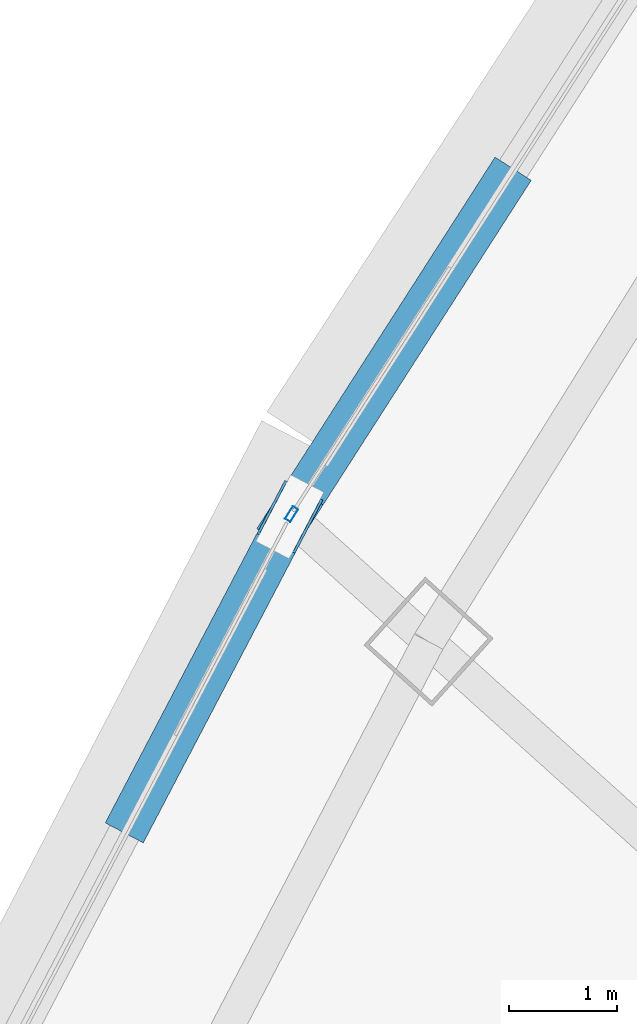
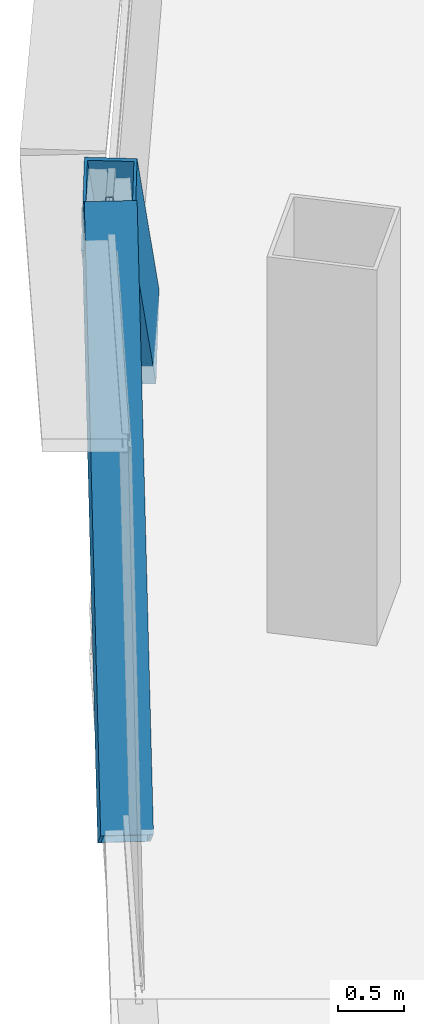
# One storey, part 17 of 37: 3 members, 1 element without a shape of its own.
"""IFC4 building model written with IfcOpenShell, lengths in metres."""

from ifc_helpers import new_model, si_unit, direction, frame, origin, origin_2d, place, context, subcontext, project, spatial, hollow_rectangle, extrude, source, transform, mapped, material, layer, layer_set, material_profile, profile_set, type_object, element, aggregate, save


model = new_model("IFC4")

# Units and contexts
model_context = context("Model", 3, precision=1e-05, world=origin(), true_north=direction((0.0, 1.0)))
body_context = subcontext(model_context, "Body", "Model", "MODEL_VIEW")
ifc_project = project(units=[si_unit("LENGTHUNIT", "METRE"), si_unit("AREAUNIT", "SQUARE_METRE"), si_unit("VOLUMEUNIT", "CUBIC_METRE"), si_unit("PLANEANGLEUNIT", "RADIAN"), si_unit("MASSUNIT", "GRAM", prefix="KILO"), si_unit("THERMODYNAMICTEMPERATUREUNIT", "KELVIN"), si_unit("POWERUNIT", "WATT")], contexts=[model_context])

# Site, building, storey
site_placement = place(None, origin())
site = spatial("IfcSite", under=ifc_project, at=site_placement, CompositionType="ELEMENT")
building_placement = place(site_placement, origin())
building = spatial("IfcBuilding", under=site, at=building_placement, Name="Yunzhuo Pagoda Commons", CompositionType="ELEMENT")
storey_placement = place(building_placement, frame((0.0, 0.0, 251.989990234375)))
storey = spatial("IfcBuildingStorey", under=building, at=storey_placement, Name="L63", CompositionType="ELEMENT", Elevation=251.989990234375)

# Members
ifc_material_1 = material(Name="Structural steel Q355B", Category="steel")
ifc_material_profile_1 = material_profile(ifc_material_1, hollow_rectangle(XDim=0.39990234375, YDim=0.719970703125, WallThickness=0.02392578125, at=origin_2d()), Name="Structural steel Q355B")
ifc_profile_set_1 = profile_set([ifc_material_profile_1], Name="Structural steel Q355B")
member_type_1 = type_object("IfcMemberType", Name="M-DL2 Brace BOX 720x400x24", PredefinedType="BRACE", material=ifc_profile_set_1)
shared_shape_1 = source(origin(), body_context, "Body", "SweptSolid", [
    extrude(hollow_rectangle(XDim=0.39990234375, YDim=0.719970703125, WallThickness=0.02392578125, at=origin_2d()), origin(), (0.0, 0.0, 1.0), 4.811767578125),
])
member_1_placement = place(storey_placement, frame((24.68701171875, 50.72802734375, -0.259765625), z_axis=(0.293317452685, 0.559591452287, 0.775127265988), x_axis=(-0.885702610278, 0.464253041075, 0.0)))
element("IfcMember", 1, at=member_1_placement, inside=storey, type_object=member_type_1, Name="L63 facade diamond brace F3.2L", PredefinedType="BRACE", context=body_context, shape_type="MappedRepresentation", body=[
    mapped(shared_shape_1, transform((0.0, 0.0, 0.0), scale=1.0)),
])
shared_shape_2 = source(origin(), body_context, "Body", "SweptSolid", [
    extrude(hollow_rectangle(XDim=0.39990234375, YDim=0.719970703125, WallThickness=0.02392578125, at=origin_2d()), origin(), (0.0, 0.0, 1.0), 5.17431640625),
])
member_2_placement = place(storey_placement, frame((28.034423828125, 56.439697265625, -0.259765625), z_axis=(-0.374160854113, -0.583464454219, 0.72081404392), x_axis=(0.841783964011, -0.539814558839, 0.0)))
element("IfcMember", 2, at=member_2_placement, inside=storey, type_object=member_type_1, Name="L63 facade diamond brace F3.1R", PredefinedType="BRACE", context=body_context, shape_type="MappedRepresentation", body=[
    mapped(shared_shape_2, transform((0.0, 0.0, 0.0), scale=1.0)),
])

# Curtain wall, member
ifc_material_2 = material(Name="Anodized aluminium 6063-T6", Category="aluminium")
ifc_layer = layer(ifc_material_2, 0.139892578125)
ifc_layer_set = layer_set([ifc_layer], Name="Anodized aluminium 6063-T6")
curtain_wall_type = type_object("IfcCurtainWallType", Name="CW-HI High-Zone Ribbon Curtain Wall", PredefinedType="NOTDEFINED", material=ifc_layer_set)
curtain_wall_placement = place(storey_placement, origin())
curtain_wall = element("IfcCurtainWall", 3, at=curtain_wall_placement, inside=storey, type_object=curtain_wall_type, Name="L63 curtain wall CW-L63-F3B2", PredefinedType="NOTDEFINED")
ifc_material_profile_2 = material_profile(ifc_material_2, hollow_rectangle(XDim=0.06005859375, YDim=0.139892578125, WallThickness=0.00341796875, at=origin_2d()), Name="Anodized aluminium 6063-T6")
ifc_profile_set_2 = profile_set([ifc_material_profile_2], Name="Anodized aluminium 6063-T6")
member_type_2 = type_object("IfcMemberType", Name="CW-HI-M Mullion RHS 140x60x3.5", PredefinedType="MULLION", material=ifc_profile_set_2)
shared_shape_3 = source(origin(), body_context, "Body", "SweptSolid", [
    extrude(hollow_rectangle(XDim=0.06005859375, YDim=0.139892578125, WallThickness=0.00341796875, at=origin_2d()), origin(), (0.0, 0.0, 1.0), 3.469970703125),
])
member_3_placement = place(storey_placement, frame((26.1142578125, 53.44580078125, 0.0), z_axis=(0.0, 0.0, 1.0), x_axis=(0.841750083847, -0.539867387738, 0.0)))
member_3 = element("IfcMember", 4, at=member_3_placement, type_object=member_type_2, Name="CW mullion 2", PredefinedType="MULLION", context=body_context, shape_type="MappedRepresentation", body=[
    mapped(shared_shape_3, transform((0.0, 0.0, 0.0), scale=1.0)),
])
aggregate(curtain_wall, [member_3])

save(model, "model.ifc")
